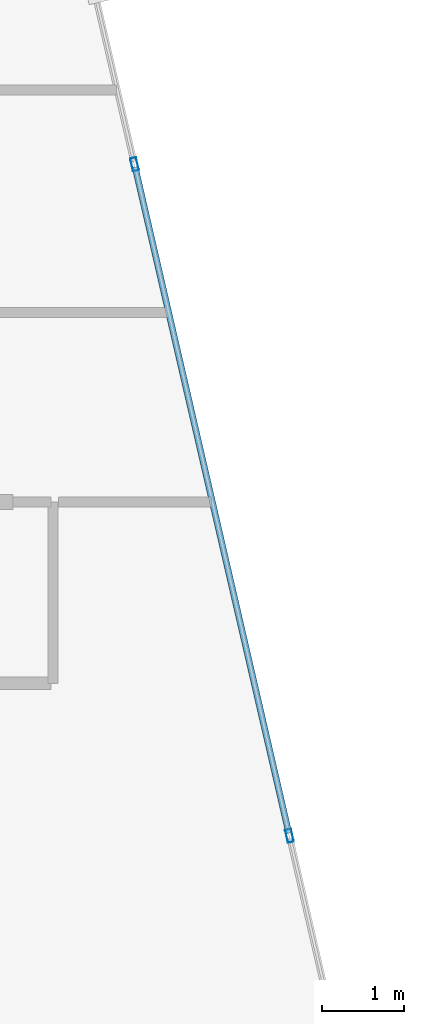
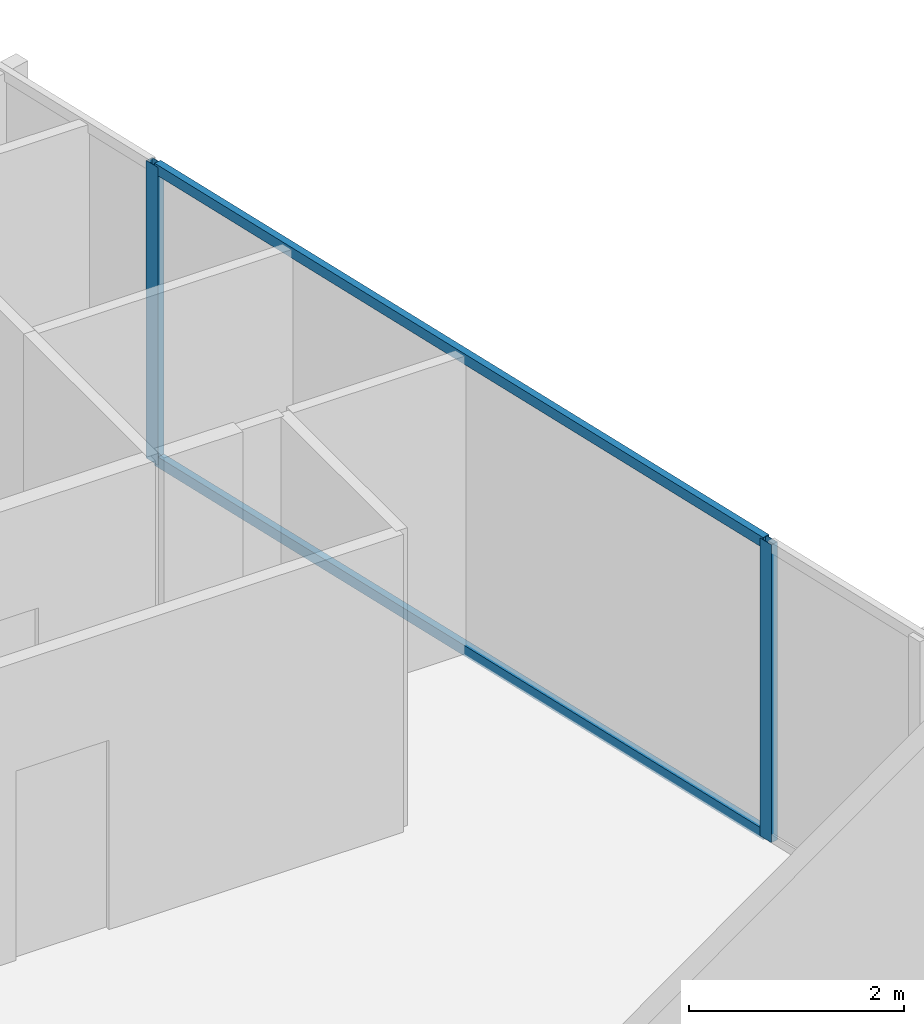
# One storey, part 20 of 29: 4 members, 1 element without a shape of its own.
"""IFC4 building model written with IfcOpenShell, lengths in metres."""

from ifc_helpers import new_model, si_unit, direction, frame, origin, origin_2d, place, context, subcontext, project, spatial, hollow_rectangle, extrude, material, layer, layer_set, material_profile, profile_set, type_object, element, aggregate, save


model = new_model("IFC4")

# Units and contexts
model_context = context("Model", 3, precision=1e-05, world=origin(), true_north=direction((0.0, 1.0)))
body_context = subcontext(model_context, "Body", "Model", "MODEL_VIEW")
ifc_project = project(units=[si_unit("LENGTHUNIT", "METRE"), si_unit("AREAUNIT", "SQUARE_METRE"), si_unit("VOLUMEUNIT", "CUBIC_METRE"), si_unit("PLANEANGLEUNIT", "RADIAN"), si_unit("MASSUNIT", "GRAM", prefix="KILO")], contexts=[model_context])

# Site, building, storey
site_placement = place(None, origin())
site = spatial("IfcSite", under=ifc_project, at=site_placement, CompositionType="ELEMENT")
building_placement = place(site_placement, origin())
building = spatial("IfcBuilding", under=site, at=building_placement, Name="Keshet Zoharim Tower", CompositionType="ELEMENT")
storey_placement = place(building_placement, frame((0.0, 0.0, 180.199951171875)))
storey = spatial("IfcBuildingStorey", under=building, at=storey_placement, Name="L44", CompositionType="ELEMENT", Elevation=180.199951171875)

# Curtain wall, members
ifc_material = material(Name="Aluminium 6063-T6", Category="aluminium")
ifc_layer = layer(ifc_material, 0.139892578125)
ifc_layer_set = layer_set([ifc_layer], Name="Aluminium 6063-T6")
curtain_wall_type = type_object("IfcCurtainWallType", Name="CW-SYS-05", PredefinedType="NOTDEFINED", material=ifc_layer_set)
curtain_wall_placement = place(storey_placement, origin())
curtain_wall = element("IfcCurtainWall", 1, at=curtain_wall_placement, inside=storey, type_object=curtain_wall_type, Name="L44 Unitised Curtain Wall 19", PredefinedType="NOTDEFINED")
ifc_material_profile_1 = material_profile(ifc_material, hollow_rectangle(XDim=0.074951171875, YDim=0.159912109375, WallThickness=0.00390625, at=origin_2d()), Name="MUL-75x160")
ifc_profile_set_1 = profile_set([ifc_material_profile_1], Name="Aluminium 6063-T6")
member_type_1 = type_object("IfcMemberType", Name="CWM-M15", PredefinedType="MULLION", material=ifc_profile_set_1)
member_1_placement = place(storey_placement, frame((41.23876953125, 44.199951171875, 0.0), z_axis=(0.0, 0.0, 1.0), x_axis=(0.974393882313, 0.224847864369, 0.0)))
member_1 = element("IfcMember", 2, at=member_1_placement, type_object=member_type_1, Name="CW-05 mullion 2", PredefinedType="MULLION", context=body_context, shape_type="SweptSolid", body=[
    extrude(hollow_rectangle(XDim=0.074951171875, YDim=0.159912109375, WallThickness=0.00390625, at=origin_2d()), origin(), (0.0, 0.0, 1.0), 3.380126953125),
])
member_2_placement = place(storey_placement, frame((43.119384765625, 36.050048828125, 0.0), z_axis=(0.0, 0.0, 1.0), x_axis=(0.974393882313, 0.224847864369, 0.0)))
member_2 = element("IfcMember", 3, at=member_2_placement, type_object=member_type_1, Name="CW-05 mullion 3", PredefinedType="MULLION", context=body_context, shape_type="SweptSolid", body=[
    extrude(hollow_rectangle(XDim=0.074951171875, YDim=0.159912109375, WallThickness=0.00390625, at=origin_2d()), origin(), (0.0, 0.0, 1.0), 3.380126953125),
])
ifc_material_profile_2 = material_profile(ifc_material, hollow_rectangle(XDim=0.074951171875, YDim=0.1201171875, WallThickness=0.00390625, at=origin_2d()), Name="TRN-75x120")
ifc_profile_set_2 = profile_set([ifc_material_profile_2], Name="Aluminium 6063-T6")
member_type_2 = type_object("IfcMemberType", Name="CWT-T12", PredefinedType="USERDEFINED", material=ifc_profile_set_2)
member_3_placement = place(storey_placement, frame((41.24658203125, 44.166015625, 0.03515625), z_axis=(0.224848758198, -0.974393676055, 0.0), x_axis=(0.974393676055, 0.224848758198, 0.0)))
member_3 = element("IfcMember", 4, at=member_3_placement, type_object=member_type_2, Name="CW-05 transom 2.1", ObjectType="TRANSOM", PredefinedType="USERDEFINED", context=body_context, shape_type="SweptSolid", body=[
    extrude(hollow_rectangle(XDim=0.074951171875, YDim=0.1201171875, WallThickness=0.00390625, at=origin_2d()), origin(), (0.0, 0.0, 1.0), 8.29443359375),
])
member_4_placement = place(storey_placement, frame((41.24658203125, 44.166015625, 3.344970703125), z_axis=(0.224848758198, -0.974393676055, 0.0), x_axis=(0.974393676055, 0.224848758198, 0.0)))
member_4 = element("IfcMember", 5, at=member_4_placement, type_object=member_type_2, Name="CW-05 transom 2.2", ObjectType="TRANSOM", PredefinedType="USERDEFINED", context=body_context, shape_type="SweptSolid", body=[
    extrude(hollow_rectangle(XDim=0.074951171875, YDim=0.1201171875, WallThickness=0.00390625, at=origin_2d()), origin(), (0.0, 0.0, 1.0), 8.29443359375),
])
aggregate(curtain_wall, [member_1, member_2, member_3, member_4])

save(model, "model.ifc")
